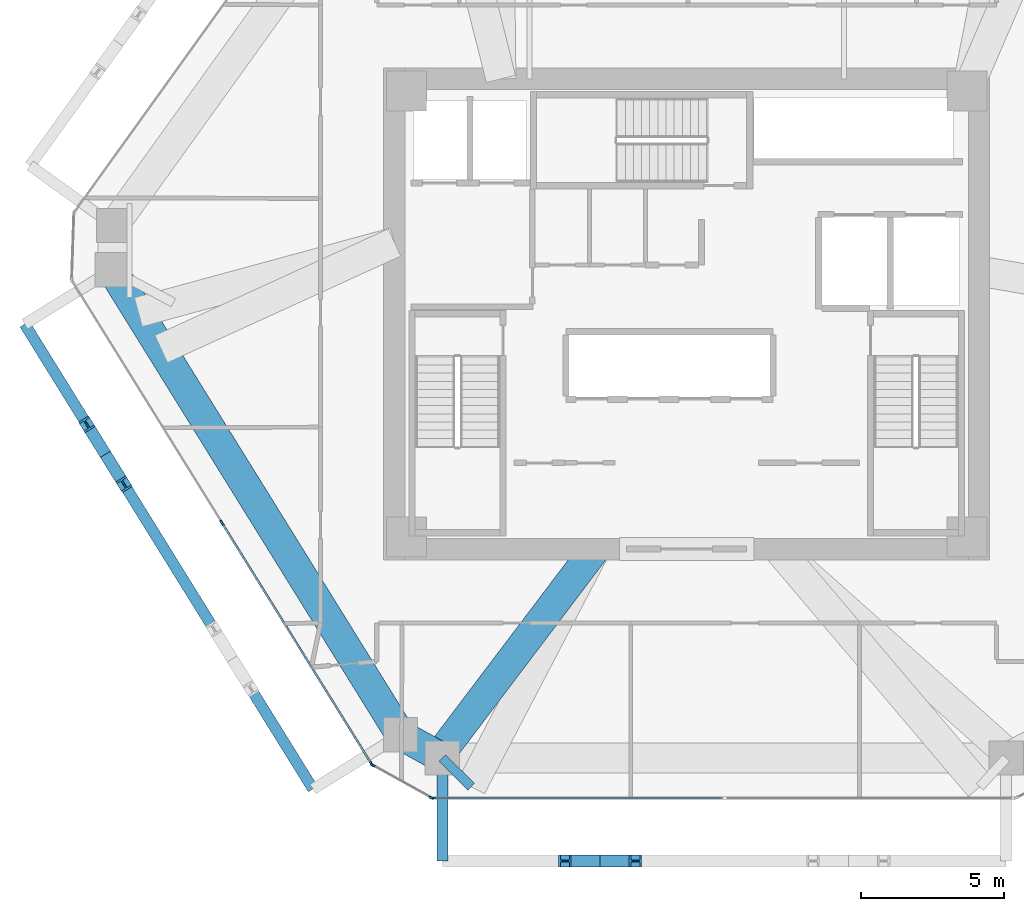
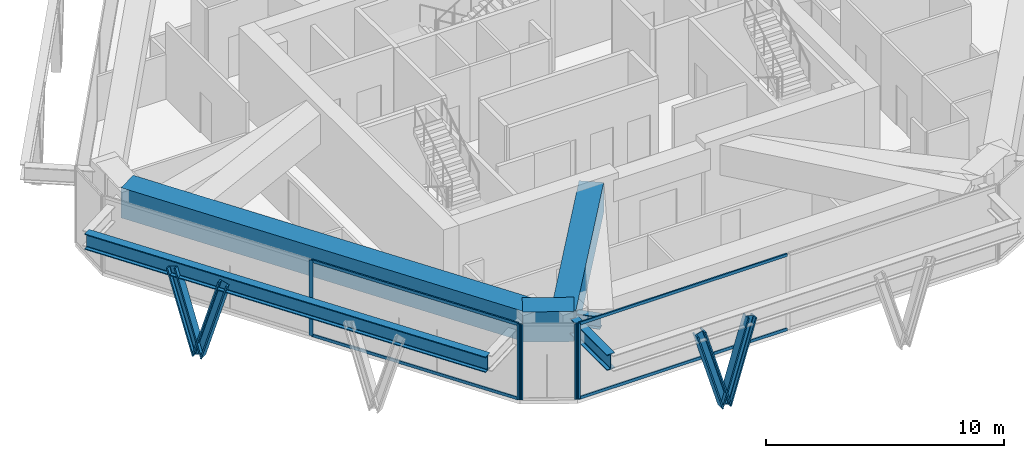
# One storey, part 2 of 14: 13 members, 6 beams, 3 elements without a shape of their own.
"""IFC4 building model written with IfcOpenShell, lengths in metres."""

from ifc_helpers import new_model, si_unit, direction, frame, origin, origin_2d, place, context, subcontext, project, spatial, rectangle, i_section, extrude, source, transform, mapped, material, layer, layer_set, material_profile, profile_set, type_object, type_shapes, element, aggregate, save


model = new_model("IFC4")

# Units and contexts
model_context = context("Model", 3, precision=1e-05, world=origin(), true_north=direction((0.0, 1.0)))
body_context = subcontext(model_context, "Body", "Model", "MODEL_VIEW")
ifc_project = project(units=[si_unit("LENGTHUNIT", "METRE"), si_unit("AREAUNIT", "SQUARE_METRE"), si_unit("VOLUMEUNIT", "CUBIC_METRE"), si_unit("PLANEANGLEUNIT", "RADIAN"), si_unit("MASSUNIT", "GRAM", prefix="KILO")], contexts=[model_context])

# Site, building, storey
site_placement = place(None, origin())
site = spatial("IfcSite", under=ifc_project, at=site_placement, CompositionType="ELEMENT")
building_placement = place(site_placement, origin())
building = spatial("IfcBuilding", under=site, at=building_placement, Name="Durnholm Broadcast Tower", CompositionType="ELEMENT")
storey_placement = place(building_placement, frame((0.0, 0.0, 146.10009765625)))
storey = spatial("IfcBuildingStorey", under=building, at=storey_placement, Name="L40", CompositionType="ELEMENT", Elevation=146.10009765625)

# Beams
ifc_material_1 = material(Name="Steel ASTM A992 Grade 50", Category="steel")
ifc_material_profile_1 = material_profile(ifc_material_1, i_section(OverallWidth=0.385009765625, OverallDepth=0.802978515625, WebThickness=0.023681640625, FlangeThickness=0.0419921875, FilletRadius=0.032958984375, at=origin_2d()), Name="W30X261")
ifc_profile_set_1 = profile_set([ifc_material_profile_1], Name="Steel ASTM A992 Grade 50")
beam_type_1 = type_object("IfcBeamType", Name="BM-EXO-TIE", PredefinedType="USERDEFINED", material=ifc_profile_set_1)
shared_shape_1 = source(origin(), body_context, "Body", "SweptSolid", [
    extrude(i_section(OverallWidth=0.385009765625, OverallDepth=0.802978515625, WebThickness=0.023681640625, FlangeThickness=0.0419921875, FilletRadius=0.032958984375, at=origin_2d()), origin(), (0.0, 0.0, 1.0), 3.4560546875),
])
beam_1_placement = place(storey_placement, frame((-8.552001953125, -15.680908203125, 3.12841796875), z_axis=(0.0, -1.0, 0.0), x_axis=(1.0, 0.0, 0.0)))
element("IfcBeam", 1, at=beam_1_placement, inside=storey, type_object=beam_type_1, Name="L40 exoskeleton stand-off tie bracket F1.1", ObjectType="GIRDER", PredefinedType="USERDEFINED", context=body_context, shape_type="MappedRepresentation", body=[
    mapped(shared_shape_1, transform((0.0, 0.0, 0.0), x_axis=(1.0, 0.0, 0.0), y_axis=(0.0, 1.0, 0.0), z_axis=(0.0, 0.0, 1.0), scale=1.0)),
])
shared_shape_2 = source(origin(), body_context, "Body", "SweptSolid", [
    extrude(i_section(OverallWidth=0.385009765625, OverallDepth=0.802978515625, WebThickness=0.023681640625, FlangeThickness=0.0419921875, FilletRadius=0.032958984375, at=origin_2d()), origin(), (0.0, 0.0, 1.0), 19.139404296875),
])
type_shapes(beam_type_1, [shared_shape_1, shared_shape_2])
beam_2_placement = place(storey_placement, frame((-23.162109375, -0.356201171875, 3.12841796875), z_axis=(0.527111038734, -0.84979641847, 0.0), x_axis=(0.84979641847, 0.527111038734, 0.0)))
element("IfcBeam", 2, at=beam_2_placement, inside=storey, type_object=beam_type_1, Name="L40 exoskeleton collector spandrel F6", PredefinedType="SPANDREL", context=body_context, shape_type="MappedRepresentation", body=[
    mapped(shared_shape_2, transform((0.0, 0.0, 0.0), x_axis=(1.0, 0.0, 0.0), y_axis=(0.0, 1.0, 0.0), z_axis=(0.0, 0.0, 1.0), scale=1.0)),
])
ifc_material_2 = material(Name="Concrete C70/85", Category="concrete")
ifc_material_profile_2 = material_profile(ifc_material_2, rectangle(XDim=1.050048828125, YDim=1.550048828125, at=origin_2d()), Name="RC1050X1550")
ifc_profile_set_2 = profile_set([ifc_material_profile_2], Name="Concrete C70/85")
beam_type_2 = type_object("IfcBeamType", Name="BM-TG-RC1550", PredefinedType="USERDEFINED", material=ifc_profile_set_2)
shared_shape_3 = source(origin(), body_context, "Body", "SweptSolid", [
    extrude(rectangle(XDim=1.050048828125, YDim=1.550048828125, at=origin_2d()), origin(), (0.0, 0.0, 1.0), 19.1396484375),
])
beam_3_placement = place(storey_placement, frame((-10.01416015625, -14.723388671875, 3.10498046875), z_axis=(-0.527105324954, 0.849799962582, 0.0), x_axis=(-0.849799962582, -0.527105324954, 0.0)))
element("IfcBeam", 3, at=beam_3_placement, inside=storey, type_object=beam_type_2, Name="L40 perimeter transfer spandrel girder 01", PredefinedType="SPANDREL", context=body_context, shape_type="MappedRepresentation", body=[
    mapped(shared_shape_3, transform((0.0, 0.0, 0.0), x_axis=(1.0, 0.0, 0.0), y_axis=(0.0, 1.0, 0.0), z_axis=(0.0, 0.0, 1.0), scale=1.0)),
])
shared_shape_4 = source(origin(), body_context, "Body", "SweptSolid", [
    extrude(rectangle(XDim=1.050048828125, YDim=1.550048828125, at=origin_2d()), origin(), (0.0, 0.0, 1.0), 2.17333984375),
])
beam_4_placement = place(storey_placement, frame((-8.33349609375, -15.65869140625, 3.10498046875), z_axis=(-0.873807345975, 0.486272271593, 0.0), x_axis=(-0.486272271593, -0.873807345975, 0.0)))
element("IfcBeam", 4, at=beam_4_placement, inside=storey, type_object=beam_type_2, Name="L40 perimeter transfer spandrel girder 12", PredefinedType="SPANDREL", context=body_context, shape_type="MappedRepresentation", body=[
    mapped(shared_shape_4, transform((0.0, 0.0, 0.0), x_axis=(1.0, 0.0, 0.0), y_axis=(0.0, 1.0, 0.0), z_axis=(0.0, 0.0, 1.0), scale=1.0)),
])
shared_shape_5 = source(origin(), body_context, "Body", "SweptSolid", [
    extrude(rectangle(XDim=1.050048828125, YDim=1.550048828125, at=origin_2d()), origin(), (0.0, 0.0, 1.0), 9.46875),
])
type_shapes(beam_type_2, [shared_shape_3, shared_shape_4, shared_shape_5])
beam_5_placement = place(storey_placement, frame((-3.199951171875, -8.22509765625, 3.10498046875), z_axis=(-0.603319922553, -0.797499260847, 0.0), x_axis=(0.797499260847, -0.603319922553, 0.0)))
element("IfcBeam", 5, at=beam_5_placement, inside=storey, type_object=beam_type_2, Name="L40 radial setback transfer girder 01", ObjectType="GIRDER", PredefinedType="USERDEFINED", context=body_context, shape_type="MappedRepresentation", body=[
    mapped(shared_shape_5, transform((0.0, 0.0, 0.0), x_axis=(1.0, 0.0, 0.0), y_axis=(0.0, 1.0, 0.0), z_axis=(0.0, 0.0, 1.0), scale=1.0)),
])
ifc_material_profile_3 = material_profile(ifc_material_1, i_section(OverallWidth=0.3291015625, OverallDepth=0.635009765625, WebThickness=0.017822265625, FlangeThickness=0.031005859375, FilletRadius=0.02783203125, at=origin_2d()), Name="W24X162")
ifc_profile_set_3 = profile_set([ifc_material_profile_3], Name="Steel ASTM A992 Grade 50")
beam_type_3 = type_object("IfcBeamType", Name="STL-SP-W24X162", PredefinedType="SPANDREL", material=ifc_profile_set_3)
shared_shape_6 = source(origin(), body_context, "Body", "SweptSolid", [
    extrude(i_section(OverallWidth=0.3291015625, OverallDepth=0.635009765625, WebThickness=0.017822265625, FlangeThickness=0.031005859375, FilletRadius=0.02783203125, at=origin_2d()), origin(), (0.0, 0.0, 1.0), 1.426513671875),
])
type_shapes(beam_type_3, [shared_shape_6])
beam_6_placement = place(storey_placement, frame((-8.552001953125, -15.537109375, 3.260009765625), z_axis=(0.709754613399, -0.704448996564, 0.0), x_axis=(0.704448996564, 0.709754613399, 0.0)))
element("IfcBeam", 6, at=beam_6_placement, inside=storey, type_object=beam_type_3, Name="L40 perimeter column collector tie 12", ObjectType="GIRDER", PredefinedType="USERDEFINED", context=body_context, shape_type="MappedRepresentation", body=[
    mapped(shared_shape_6, transform((0.0, 0.0, 0.0), x_axis=(1.0, 0.0, 0.0), y_axis=(0.0, 1.0, 0.0), z_axis=(0.0, 0.0, 1.0), scale=1.0)),
])

# Members
ifc_material_3 = material(Name="Steel ASTM A913 Grade 65", Category="steel")
ifc_material_profile_4 = material_profile(ifc_material_3, i_section(OverallWidth=0.41845703125, OverallDepth=0.455078125, WebThickness=0.0419921875, FlangeThickness=0.067626953125, FilletRadius=0.030517578125, at=origin_2d()), Name="W14X370")
ifc_profile_set_4 = profile_set([ifc_material_profile_4], Name="Steel ASTM A913 Grade 65")
member_type_1 = type_object("IfcMemberType", Name="STL-DG-W14X370", PredefinedType="BRACE", material=ifc_profile_set_4)
shared_shape_7 = source(origin(), body_context, "Body", "SweptSolid", [
    extrude(i_section(OverallWidth=0.41845703125, OverallDepth=0.455078125, WebThickness=0.0419921875, FlangeThickness=0.067626953125, FilletRadius=0.030517578125, at=origin_2d()), origin(), (0.0, 0.0, 1.0), 4.30078125),
])
for number, where, z_axis, x_axis, name in (
    (7, (-3.028076171875, -19.136962890625, -0.991455078125), (-0.286905169105, 0.0, 0.957958988653), (0.0, -1.0, 0.0), "L40 stand-off diagrid brace F1.D1.1"),
    (8, (-3.028076171875, -19.136962890625, -0.991455078125), (0.286905169105, 0.0, 0.957958988653), (0.0, 1.0, 0.0), "L40 stand-off diagrid brace F1.D1.2"),
    (9, (-20.337158203125, -4.910400390625, -0.991455078125), (-0.151229547448, 0.243817907766, 0.95795743738), (-0.849805205368, -0.527096872433, 0.0), "L40 stand-off diagrid brace F6.D1.1"),
):
    element("IfcMember", number, at=place(storey_placement, frame(where, z_axis=z_axis, x_axis=x_axis)), inside=storey, type_object=member_type_1, Name=name, PredefinedType="BRACE", context=body_context, shape_type="MappedRepresentation", body=[
        mapped(shared_shape_7, transform((0.0, 0.0, 0.0), x_axis=(1.0, 0.0, 0.0), y_axis=(0.0, 1.0, 0.0), z_axis=(0.0, 0.0, 1.0), scale=1.0)),
    ])
shared_shape_8 = source(origin(), body_context, "Body", "SweptSolid", [
    extrude(i_section(OverallWidth=0.41845703125, OverallDepth=0.455078125, WebThickness=0.0419921875, FlangeThickness=0.067626953125, FilletRadius=0.030517578125, at=origin_2d()), origin(), (0.0, 0.0, 1.0), 4.300537109375),
])
type_shapes(member_type_1, [shared_shape_7, shared_shape_8])
member_1_placement = place(storey_placement, frame((-20.337158203125, -4.910400390625, -0.991455078125), z_axis=(0.151231640418, -0.243764513497, 0.957970695218), x_axis=(0.849750220063, 0.527185511469, 0.0)))
element("IfcMember", 10, at=member_1_placement, inside=storey, type_object=member_type_1, Name="L40 stand-off diagrid brace F6.D1.2", PredefinedType="BRACE", context=body_context, shape_type="MappedRepresentation", body=[
    mapped(shared_shape_8, transform((0.0, 0.0, 0.0), x_axis=(1.0, 0.0, 0.0), y_axis=(0.0, 1.0, 0.0), z_axis=(0.0, 0.0, 1.0), scale=1.0)),
])

# Curtain wall, members
ifc_material_4 = material(Name="Aluminium and Solar Control IGU", Category="aluminium")
ifc_layer_1 = layer(ifc_material_4, 0.18994140625)
ifc_layer_set_1 = layer_set([ifc_layer_1], Name="Aluminium and Solar Control IGU")
curtain_wall_type_1 = type_object("IfcCurtainWallType", Name="CW-SYS-3", PredefinedType="NOTDEFINED", material=ifc_layer_set_1)
curtain_wall_1_placement = place(storey_placement, origin())
curtain_wall_1 = element("IfcCurtainWall", 11, at=curtain_wall_1_placement, inside=storey, type_object=curtain_wall_type_1, Name="L40 curtain wall CW-Z12-VIS CW-L40-F10", PredefinedType="NOTDEFINED")
ifc_material_5 = material(Name="Aluminium 6063-T6", Category="aluminium")
ifc_material_profile_5 = material_profile(ifc_material_5, rectangle(XDim=0.070068359375, YDim=0.14990234375, at=origin_2d()), Name="CWT70X150")
ifc_profile_set_5 = profile_set([ifc_material_profile_5], Name="Aluminium 6063-T6")
member_type_2 = type_object("IfcMemberType", Name="CW-SYS-3-TRN", PredefinedType="USERDEFINED", material=ifc_profile_set_5)
shared_shape_9 = source(origin(), body_context, "Body", "SweptSolid", [
    extrude(rectangle(XDim=0.070068359375, YDim=0.14990234375, at=origin_2d()), origin(), (0.0, 0.0, 1.0), 10.109619140625),
])
member_2_placement = place(storey_placement, frame((1.264404296875, -16.93701171875, 0.034912109375), z_axis=(-1.0, 0.0, 0.0), x_axis=(0.0, -1.0, 0.0)))
member_2 = element("IfcMember", 12, at=member_2_placement, type_object=member_type_2, Name="CW-Z12-VIS transom 2.1", ObjectType="TRANSOM", PredefinedType="USERDEFINED", context=body_context, shape_type="MappedRepresentation", body=[
    mapped(shared_shape_9, transform((0.0, 0.0, 0.0), x_axis=(1.0, 0.0, 0.0), y_axis=(0.0, 1.0, 0.0), z_axis=(0.0, 0.0, 1.0), scale=1.0)),
])
member_3_placement = place(storey_placement, frame((1.264404296875, -16.93701171875, 3.844970703125), z_axis=(-1.0, 0.0, 0.0), x_axis=(0.0, -1.0, 0.0)))
member_3 = element("IfcMember", 13, at=member_3_placement, type_object=member_type_2, Name="CW-Z12-VIS transom 2.2", ObjectType="TRANSOM", PredefinedType="USERDEFINED", context=body_context, shape_type="MappedRepresentation", body=[
    mapped(shared_shape_9, transform((0.0, 0.0, 0.0), x_axis=(1.0, 0.0, 0.0), y_axis=(0.0, 1.0, 0.0), z_axis=(0.0, 0.0, 1.0), scale=1.0)),
])

curtain_wall_2_placement = place(storey_placement, origin())
curtain_wall_2 = element("IfcCurtainWall", 14, at=curtain_wall_2_placement, inside=storey, type_object=curtain_wall_type_1, Name="L40 curtain wall CW-Z12-VIS CW-L40-F12", PredefinedType="NOTDEFINED")
shared_shape_10 = source(origin(), body_context, "Body", "SweptSolid", [
    extrude(rectangle(XDim=0.070068359375, YDim=0.14990234375, at=origin_2d()), origin(), (0.0, 0.0, 1.0), 9.858642578125),
])
type_shapes(member_type_2, [shared_shape_9, shared_shape_10])
member_4_placement = place(storey_placement, frame((-11.04931640625, -15.71044921875, 0.034912109375), z_axis=(-0.527102081419, 0.849801974441, 0.0), x_axis=(-0.849801974441, -0.527102081419, 0.0)))
member_4 = element("IfcMember", 15, at=member_4_placement, type_object=member_type_2, Name="CW-Z12-VIS transom 1.1", ObjectType="TRANSOM", PredefinedType="USERDEFINED", context=body_context, shape_type="MappedRepresentation", body=[
    mapped(shared_shape_10, transform((0.0, 0.0, 0.0), x_axis=(1.0, 0.0, 0.0), y_axis=(0.0, 1.0, 0.0), z_axis=(0.0, 0.0, 1.0), scale=1.0)),
])
member_5_placement = place(storey_placement, frame((-11.04931640625, -15.71044921875, 3.844970703125), z_axis=(-0.527102081419, 0.849801974441, 0.0), x_axis=(-0.849801974441, -0.527102081419, 0.0)))
member_5 = element("IfcMember", 16, at=member_5_placement, type_object=member_type_2, Name="CW-Z12-VIS transom 1.2", ObjectType="TRANSOM", PredefinedType="USERDEFINED", context=body_context, shape_type="MappedRepresentation", body=[
    mapped(shared_shape_10, transform((0.0, 0.0, 0.0), x_axis=(1.0, 0.0, 0.0), y_axis=(0.0, 1.0, 0.0), z_axis=(0.0, 0.0, 1.0), scale=1.0)),
])

ifc_layer_2 = layer(ifc_material_4, 0.1650390625)
ifc_layer_set_2 = layer_set([ifc_layer_2], Name="Aluminium and Solar Control IGU")
curtain_wall_type_2 = type_object("IfcCurtainWallType", Name="CW-SYS-5", PredefinedType="NOTDEFINED", material=ifc_layer_set_2)
curtain_wall_3_placement = place(storey_placement, origin())
curtain_wall_3 = element("IfcCurtainWall", 17, at=curtain_wall_3_placement, inside=storey, type_object=curtain_wall_type_2, Name="L40 curtain wall CW-CORNER CW-L40-CRN-11", PredefinedType="NOTDEFINED")
ifc_material_profile_6 = material_profile(ifc_material_5, rectangle(XDim=0.06494140625, YDim=0.1650390625, at=origin_2d()), Name="CWM65X165")
ifc_profile_set_6 = profile_set([ifc_material_profile_6], Name="Aluminium 6063-T6")
member_type_3 = type_object("IfcMemberType", Name="CW-SYS-5-MUL", PredefinedType="MULLION", material=ifc_profile_set_6)
shared_shape_11 = source(origin(), body_context, "Body", "SweptSolid", [
    extrude(rectangle(XDim=0.06494140625, YDim=0.1650390625, at=origin_2d()), origin(), (0.0, 0.0, 1.0), 3.8798828125),
])
type_shapes(member_type_3, [shared_shape_11])
member_6_placement = place(storey_placement, frame((-8.943603515625, -16.921142578125, 0.0), z_axis=(0.0, 0.0, 1.0), x_axis=(-0.486244224192, -0.873822953715, 0.0)))
member_6 = element("IfcMember", 18, at=member_6_placement, type_object=member_type_3, Name="CW-CORNER mullion 1", PredefinedType="MULLION", context=body_context, shape_type="MappedRepresentation", body=[
    mapped(shared_shape_11, transform((0.0, 0.0, 0.0), x_axis=(1.0, 0.0, 0.0), y_axis=(0.0, 1.0, 0.0), z_axis=(0.0, 0.0, 1.0), scale=1.0)),
])
member_7_placement = place(storey_placement, frame((-10.98388671875, -15.785888671875, 0.0), z_axis=(0.0, 0.0, 1.0), x_axis=(-0.486244224192, -0.873822953715, 0.0)))
member_7 = element("IfcMember", 19, at=member_7_placement, type_object=member_type_3, Name="CW-CORNER mullion 2", PredefinedType="MULLION", context=body_context, shape_type="MappedRepresentation", body=[
    mapped(shared_shape_11, transform((0.0, 0.0, 0.0), x_axis=(1.0, 0.0, 0.0), y_axis=(0.0, 1.0, 0.0), z_axis=(0.0, 0.0, 1.0), scale=1.0)),
])
aggregate(curtain_wall_3, [member_6, member_7])

# Member
ifc_material_profile_7 = material_profile(ifc_material_5, rectangle(XDim=0.070068359375, YDim=0.18994140625, at=origin_2d()), Name="CWM70X190")
ifc_profile_set_7 = profile_set([ifc_material_profile_7], Name="Aluminium 6063-T6")
member_type_4 = type_object("IfcMemberType", Name="CW-SYS-3-MUL", PredefinedType="MULLION", material=ifc_profile_set_7)
shared_shape_12 = source(origin(), body_context, "Body", "SweptSolid", [
    extrude(rectangle(XDim=0.070068359375, YDim=0.18994140625, at=origin_2d()), origin(), (0.0, 0.0, 1.0), 3.8798828125),
])
type_shapes(member_type_4, [shared_shape_12])
member_8_placement = place(storey_placement, frame((-8.880126953125, -16.93701171875, 0.0), z_axis=(0.0, 0.0, 1.0), x_axis=(0.0, -1.0, 0.0)))
member_8 = element("IfcMember", 20, at=member_8_placement, type_object=member_type_4, Name="CW-Z12-VIS mullion 3", PredefinedType="MULLION", context=body_context, shape_type="MappedRepresentation", body=[
    mapped(shared_shape_12, transform((0.0, 0.0, 0.0), x_axis=(1.0, 0.0, 0.0), y_axis=(0.0, 1.0, 0.0), z_axis=(0.0, 0.0, 1.0), scale=1.0)),
])

aggregate(curtain_wall_1, [member_8, member_2, member_3])

member_9_placement = place(storey_placement, frame((-11.03076171875, -15.740234375, 0.0), z_axis=(0.0, 0.0, 1.0), x_axis=(-0.849799925229, -0.527105385176, 0.0)))
member_9 = element("IfcMember", 21, at=member_9_placement, type_object=member_type_4, Name="CW-Z12-VIS mullion 1", PredefinedType="MULLION", context=body_context, shape_type="MappedRepresentation", body=[
    mapped(shared_shape_12, transform((0.0, 0.0, 0.0), x_axis=(1.0, 0.0, 0.0), y_axis=(0.0, 1.0, 0.0), z_axis=(0.0, 0.0, 1.0), scale=1.0)),
])

member_10_placement = place(storey_placement, frame((-16.264404296875, -7.302734375, 0.0), z_axis=(0.0, 0.0, 1.0), x_axis=(-0.849799925229, -0.527105385176, 0.0)))
member_10 = element("IfcMember", 22, at=member_10_placement, type_object=member_type_4, Name="CW-Z12-VIS mullion 2", PredefinedType="MULLION", context=body_context, shape_type="MappedRepresentation", body=[
    mapped(shared_shape_12, transform((0.0, 0.0, 0.0), x_axis=(1.0, 0.0, 0.0), y_axis=(0.0, 1.0, 0.0), z_axis=(0.0, 0.0, 1.0), scale=1.0)),
])

aggregate(curtain_wall_2, [member_9, member_10, member_4, member_5])

save(model, "model.ifc")
